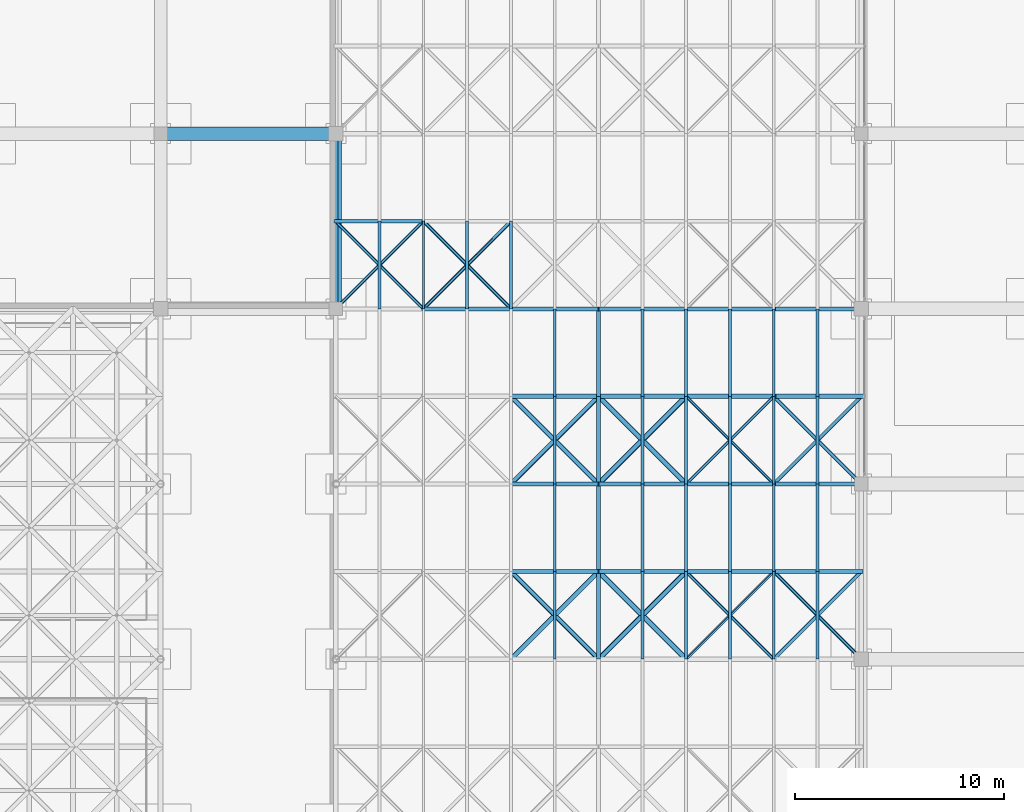
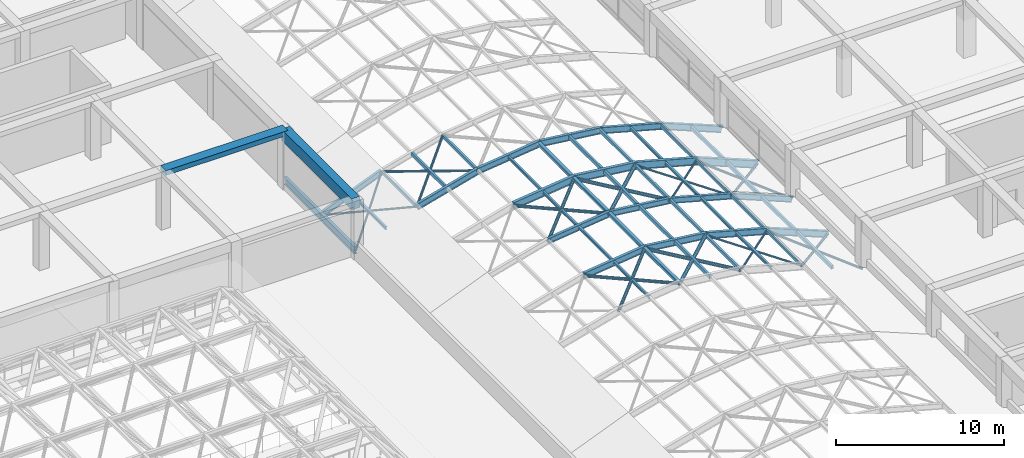
# One storey, part 27 of 85: 70 members, 3 beams.
"""IFC4 building model written with IfcOpenShell, lengths in metres."""

from ifc_helpers import new_model, si_unit, direction, frame, origin, origin_2d, place, context, subcontext, project, spatial, rectangle, hollow_rectangle, hollow_circle, i_section, extrude, material, material_profile, profile_set, type_object, element, save


model = new_model("IFC4")

# Units and contexts
model_context = context("Model", 3, precision=1e-05, world=origin(), true_north=direction((0.0, 1.0)))
body_context = subcontext(model_context, "Body", "Model", "MODEL_VIEW")
ifc_project = project(units=[si_unit("LENGTHUNIT", "METRE"), si_unit("AREAUNIT", "SQUARE_METRE"), si_unit("VOLUMEUNIT", "CUBIC_METRE"), si_unit("PLANEANGLEUNIT", "RADIAN"), si_unit("MASSUNIT", "GRAM", prefix="KILO")], contexts=[model_context])

# Site, building, storey
site_placement = place(None, origin())
site = spatial("IfcSite", under=ifc_project, at=site_placement, CompositionType="ELEMENT")
building_placement = place(site_placement, origin())
building = spatial("IfcBuilding", under=site, at=building_placement, Name="Almacenes y Pasaje Nevantli", CompositionType="ELEMENT")
storey_placement = place(building_placement, frame((0.0, 0.0, 22.199951171875)))
storey = spatial("IfcBuildingStorey", under=building, at=storey_placement, Name="L05", CompositionType="ELEMENT", Elevation=22.199951171875)

# Beams
ifc_material_1 = material(Name="Concrete C35/45", Category="concrete")
ifc_material_profile_1 = material_profile(ifc_material_1, rectangle(XDim=0.550048828125, YDim=0.800048828125, at=origin_2d()), Name="RC-BM-550x800")
ifc_profile_set_1 = profile_set([ifc_material_profile_1], Name="Concrete C35/45")
beam_type_1 = type_object("IfcBeamType", Name="BM-RC-550x800", PredefinedType="BEAM", material=ifc_profile_set_1)
beam_1_placement = place(storey_placement, frame((67.199951171875, 75.60009765625, 3.820068359375), z_axis=(0.0, 1.0, 0.0), x_axis=(-1.0, 0.0, 0.0)))
element("IfcBeam", 1, at=beam_1_placement, inside=storey, type_object=beam_type_1, Name="L05 North-South Reinforced Concrete Beam #3459", PredefinedType="BEAM", context=body_context, shape_type="SweptSolid", body=[
    extrude(rectangle(XDim=0.550048828125, YDim=0.800048828125, at=origin_2d()), origin(), (0.0, 0.0, 1.0), 8.39990234375),
])
ifc_material_2 = material(Name="Concrete C35/45", Category="concrete")
ifc_material_profile_2 = material_profile(ifc_material_2, rectangle(XDim=0.64990234375, YDim=0.35009765625, at=origin_2d()), Name="RC-BM-650x350")
ifc_profile_set_2 = profile_set([ifc_material_profile_2], Name="Concrete C35/45")
beam_type_2 = type_object("IfcBeamType", Name="BM-RC-650x350", PredefinedType="BEAM", material=ifc_profile_set_2)
beam_2_placement = place(storey_placement, frame((58.800048828125, 84.0, 4.045166015625), z_axis=(1.0, 0.0, 0.0), x_axis=(0.0, 1.0, 0.0)))
element("IfcBeam", 2, at=beam_2_placement, inside=storey, type_object=beam_type_2, Name="L05 East-West Reinforced Concrete Beam #3344", PredefinedType="BEAM", context=body_context, shape_type="SweptSolid", body=[
    extrude(rectangle(XDim=0.64990234375, YDim=0.35009765625, at=origin_2d()), origin(), (0.0, 0.0, 1.0), 8.39990234375),
])
ifc_material_3 = material(Name="Steel ASTM A992", Category="steel")
ifc_material_profile_3 = material_profile(ifc_material_3, i_section(OverallWidth=0.208984375, OverallDepth=0.532958984375, WebThickness=0.01025390625, FlangeThickness=0.015625, at=origin_2d()), Name="IR 533x92.5")
ifc_profile_set_3 = profile_set([ifc_material_profile_3], Name="Steel ASTM A992")
beam_type_3 = type_object("IfcBeamType", Name="BM-STL-IR-533x92p5", PredefinedType="BEAM", material=ifc_profile_set_3)
beam_3_placement = place(storey_placement, frame((67.199951171875, 75.60009765625, 0.400146484375), z_axis=(0.0, 1.0, 0.0), x_axis=(-1.0, 0.0, 0.0)))
element("IfcBeam", 3, at=beam_3_placement, inside=storey, type_object=beam_type_3, Name="L05 Arcade Barrel Vault Eave Steel Girder #1.10", PredefinedType="BEAM", context=body_context, shape_type="SweptSolid", body=[
    extrude(i_section(OverallWidth=0.208984375, OverallDepth=0.532958984375, WebThickness=0.01025390625, FlangeThickness=0.015625, at=origin_2d()), origin(), (0.0, 0.0, 1.0), 8.39990234375),
])

# Members
ifc_material_4 = material(Name="Steel ASTM A992", Category="steel")
ifc_material_profile_4 = material_profile(ifc_material_4, i_section(OverallWidth=0.180908203125, OverallDepth=0.406005859375, WebThickness=0.010986328125, FlangeThickness=0.018310546875, at=origin_2d()), Name="IR 406x85.0")
ifc_profile_set_4 = profile_set([ifc_material_profile_4], Name="Steel ASTM A992")
member_type_1 = type_object("IfcMemberType", Name="MBR-ARCH-IR406x85", PredefinedType="USERDEFINED", material=ifc_profile_set_4)
for number, where, z_axis, x_axis, name in (
    (4, (75.60009765625, 67.199951171875, 3.25), (0.99298811287, 0.0, 0.118214244908), (0.0, 1.0, 0.0), "Arcade Barrel Vault Steel Arch Rib 17.3"),
    (5, (79.800048828125, 67.199951171875, 3.75), (0.99298811287, 0.0, -0.118214244908), (0.0, 1.0, 0.0), "Arcade Barrel Vault Steel Arch Rib 17.4"),
):
    element("IfcMember", number, at=place(storey_placement, frame(where, z_axis=z_axis, x_axis=x_axis)), inside=storey, type_object=member_type_1, Name=name, ObjectType="ARCH RIB", PredefinedType="USERDEFINED", context=body_context, shape_type="SweptSolid", body=[
        extrude(i_section(OverallWidth=0.180908203125, OverallDepth=0.406005859375, WebThickness=0.010986328125, FlangeThickness=0.018310546875, at=origin_2d()), origin(), (0.0, 0.0, 1.0), 4.2294921875),
    ])
member_1_placement = place(storey_placement, frame((84.0, 67.199951171875, 3.25), z_axis=(0.964503290046, 0.0, -0.264070830443), x_axis=(0.0, 1.0, 0.0)))
element("IfcMember", 6, at=member_1_placement, inside=storey, type_object=member_type_1, Name="Arcade Barrel Vault Steel Arch Rib 17.5", ObjectType="ARCH RIB", PredefinedType="USERDEFINED", context=body_context, shape_type="SweptSolid", body=[
    extrude(i_section(OverallWidth=0.180908203125, OverallDepth=0.406005859375, WebThickness=0.010986328125, FlangeThickness=0.018310546875, at=origin_2d()), origin(), (0.0, 0.0, 1.0), 4.3544921875),
])
for number, where, z_axis, x_axis, name in (
    (7, (88.199951171875, 67.199951171875, 2.10009765625), (0.926949044115, 0.0, -0.375187246072), (0.0, 1.0, 0.0), "Arcade Barrel Vault Steel Arch Rib 17.6"),
    (8, (67.199951171875, 79.800048828125, 0.400146484375), (0.926949044115, 0.0, 0.375187246072), (0.0, 1.0, 0.0), "Arcade Barrel Vault Steel Arch Rib 20.1"),
):
    element("IfcMember", number, at=place(storey_placement, frame(where, z_axis=z_axis, x_axis=x_axis)), inside=storey, type_object=member_type_1, Name=name, ObjectType="ARCH RIB", PredefinedType="USERDEFINED", context=body_context, shape_type="SweptSolid", body=[
        extrude(i_section(OverallWidth=0.180908203125, OverallDepth=0.406005859375, WebThickness=0.010986328125, FlangeThickness=0.018310546875, at=origin_2d()), origin(), (0.0, 0.0, 1.0), 4.531005859375),
    ])
ifc_material_5 = material(Name="Steel ASTM A992", Category="steel")
ifc_material_profile_5 = material_profile(ifc_material_5, i_section(OverallWidth=0.193115234375, OverallDepth=0.4599609375, WebThickness=0.011474609375, FlangeThickness=0.01904296875, at=origin_2d()), Name="IR 457x96.7")
ifc_profile_set_5 = profile_set([ifc_material_profile_5], Name="Steel ASTM A992")
member_type_2 = type_object("IfcMemberType", Name="MBR-ARCH-IR457x96", PredefinedType="USERDEFINED", material=ifc_profile_set_5)
for number, where, z_axis, x_axis, name in (
    (9, (75.60009765625, 63.0, 3.25), (0.99298811287, 0.0, 0.118214244908), (0.0, 1.0, 0.0), "Arcade Barrel Vault Steel Arch Rib 16.3"),
    (10, (79.800048828125, 63.0, 3.75), (0.99298811287, 0.0, -0.118214244908), (0.0, 1.0, 0.0), "Arcade Barrel Vault Steel Arch Rib 16.4"),
):
    element("IfcMember", number, at=place(storey_placement, frame(where, z_axis=z_axis, x_axis=x_axis)), inside=storey, type_object=member_type_2, Name=name, ObjectType="ARCH RIB", PredefinedType="USERDEFINED", context=body_context, shape_type="SweptSolid", body=[
        extrude(i_section(OverallWidth=0.193115234375, OverallDepth=0.4599609375, WebThickness=0.011474609375, FlangeThickness=0.01904296875, at=origin_2d()), origin(), (0.0, 0.0, 1.0), 4.2294921875),
    ])
member_2_placement = place(storey_placement, frame((84.0, 63.0, 3.25), z_axis=(0.964503290046, 0.0, -0.264070830443), x_axis=(0.0, 1.0, 0.0)))
element("IfcMember", 11, at=member_2_placement, inside=storey, type_object=member_type_2, Name="Arcade Barrel Vault Steel Arch Rib 16.5", ObjectType="ARCH RIB", PredefinedType="USERDEFINED", context=body_context, shape_type="SweptSolid", body=[
    extrude(i_section(OverallWidth=0.193115234375, OverallDepth=0.4599609375, WebThickness=0.011474609375, FlangeThickness=0.01904296875, at=origin_2d()), origin(), (0.0, 0.0, 1.0), 4.3544921875),
])
member_3_placement = place(storey_placement, frame((88.199951171875, 63.0, 2.10009765625), z_axis=(0.926949044115, 0.0, -0.375187246072), x_axis=(0.0, 1.0, 0.0)))
element("IfcMember", 12, at=member_3_placement, inside=storey, type_object=member_type_2, Name="Arcade Barrel Vault Steel Arch Rib 16.6", ObjectType="ARCH RIB", PredefinedType="USERDEFINED", context=body_context, shape_type="SweptSolid", body=[
    extrude(i_section(OverallWidth=0.193115234375, OverallDepth=0.4599609375, WebThickness=0.011474609375, FlangeThickness=0.01904296875, at=origin_2d()), origin(), (0.0, 0.0, 1.0), 4.531005859375),
])
member_4_placement = place(storey_placement, frame((71.39990234375, 75.60009765625, 2.10009765625), z_axis=(0.964507199401, 0.0, 0.264056551336), x_axis=(0.0, 1.0, 0.0)))
element("IfcMember", 13, at=member_4_placement, inside=storey, type_object=member_type_2, Name="Arcade Barrel Vault Steel Arch Rib 19.2", ObjectType="ARCH RIB", PredefinedType="USERDEFINED", context=body_context, shape_type="SweptSolid", body=[
    extrude(i_section(OverallWidth=0.193115234375, OverallDepth=0.4599609375, WebThickness=0.011474609375, FlangeThickness=0.01904296875, at=origin_2d()), origin(), (0.0, 0.0, 1.0), 4.354736328125),
])
for number, where, z_axis, x_axis, name in (
    (14, (75.60009765625, 75.60009765625, 3.25), (0.99298811287, 0.0, 0.118214244908), (0.0, 1.0, 0.0), "Arcade Barrel Vault Steel Arch Rib 19.3"),
    (15, (79.800048828125, 75.60009765625, 3.75), (0.99298811287, 0.0, -0.118214244908), (0.0, 1.0, 0.0), "Arcade Barrel Vault Steel Arch Rib 19.4"),
):
    element("IfcMember", number, at=place(storey_placement, frame(where, z_axis=z_axis, x_axis=x_axis)), inside=storey, type_object=member_type_2, Name=name, ObjectType="ARCH RIB", PredefinedType="USERDEFINED", context=body_context, shape_type="SweptSolid", body=[
        extrude(i_section(OverallWidth=0.193115234375, OverallDepth=0.4599609375, WebThickness=0.011474609375, FlangeThickness=0.01904296875, at=origin_2d()), origin(), (0.0, 0.0, 1.0), 4.2294921875),
    ])
member_5_placement = place(storey_placement, frame((84.0, 75.60009765625, 3.25), z_axis=(0.964503290046, 0.0, -0.264070830443), x_axis=(0.0, 1.0, 0.0)))
element("IfcMember", 16, at=member_5_placement, inside=storey, type_object=member_type_2, Name="Arcade Barrel Vault Steel Arch Rib 19.5", ObjectType="ARCH RIB", PredefinedType="USERDEFINED", context=body_context, shape_type="SweptSolid", body=[
    extrude(i_section(OverallWidth=0.193115234375, OverallDepth=0.4599609375, WebThickness=0.011474609375, FlangeThickness=0.01904296875, at=origin_2d()), origin(), (0.0, 0.0, 1.0), 4.3544921875),
])
member_6_placement = place(storey_placement, frame((88.199951171875, 75.60009765625, 2.10009765625), z_axis=(0.926949044115, 0.0, -0.375187246072), x_axis=(0.0, 1.0, 0.0)))
element("IfcMember", 17, at=member_6_placement, inside=storey, type_object=member_type_2, Name="Arcade Barrel Vault Steel Arch Rib 19.6", ObjectType="ARCH RIB", PredefinedType="USERDEFINED", context=body_context, shape_type="SweptSolid", body=[
    extrude(i_section(OverallWidth=0.193115234375, OverallDepth=0.4599609375, WebThickness=0.011474609375, FlangeThickness=0.01904296875, at=origin_2d()), origin(), (0.0, 0.0, 1.0), 4.531005859375),
])
ifc_material_6 = material(Name="Steel ASTM A992", Category="steel")
ifc_material_profile_6 = material_profile(ifc_material_6, i_section(OverallWidth=0.208984375, OverallDepth=0.532958984375, WebThickness=0.01025390625, FlangeThickness=0.015625, at=origin_2d()), Name="IR 533x92.5")
ifc_profile_set_6 = profile_set([ifc_material_profile_6], Name="Steel ASTM A992")
member_type_3 = type_object("IfcMemberType", Name="MBR-ARCH-IR533x92", PredefinedType="USERDEFINED", material=ifc_profile_set_6)
for number, where, z_axis, x_axis, name in (
    (18, (75.60009765625, 71.39990234375, 3.25), (0.99298811287, 0.0, 0.118214244908), (0.0, 1.0, 0.0), "Arcade Barrel Vault Steel Arch Rib 18.3"),
    (19, (79.800048828125, 71.39990234375, 3.75), (0.99298811287, 0.0, -0.118214244908), (0.0, 1.0, 0.0), "Arcade Barrel Vault Steel Arch Rib 18.4"),
):
    element("IfcMember", number, at=place(storey_placement, frame(where, z_axis=z_axis, x_axis=x_axis)), inside=storey, type_object=member_type_3, Name=name, ObjectType="ARCH RIB", PredefinedType="USERDEFINED", context=body_context, shape_type="SweptSolid", body=[
        extrude(i_section(OverallWidth=0.208984375, OverallDepth=0.532958984375, WebThickness=0.01025390625, FlangeThickness=0.015625, at=origin_2d()), origin(), (0.0, 0.0, 1.0), 4.2294921875),
    ])
member_7_placement = place(storey_placement, frame((84.0, 71.39990234375, 3.25), z_axis=(0.964503290046, 0.0, -0.264070830443), x_axis=(0.0, 1.0, 0.0)))
element("IfcMember", 20, at=member_7_placement, inside=storey, type_object=member_type_3, Name="Arcade Barrel Vault Steel Arch Rib 18.5", ObjectType="ARCH RIB", PredefinedType="USERDEFINED", context=body_context, shape_type="SweptSolid", body=[
    extrude(i_section(OverallWidth=0.208984375, OverallDepth=0.532958984375, WebThickness=0.01025390625, FlangeThickness=0.015625, at=origin_2d()), origin(), (0.0, 0.0, 1.0), 4.3544921875),
])
member_8_placement = place(storey_placement, frame((88.199951171875, 71.39990234375, 2.10009765625), z_axis=(0.926949044115, 0.0, -0.375187246072), x_axis=(0.0, 1.0, 0.0)))
element("IfcMember", 21, at=member_8_placement, inside=storey, type_object=member_type_3, Name="Arcade Barrel Vault Steel Arch Rib 18.6", ObjectType="ARCH RIB", PredefinedType="USERDEFINED", context=body_context, shape_type="SweptSolid", body=[
    extrude(i_section(OverallWidth=0.208984375, OverallDepth=0.532958984375, WebThickness=0.01025390625, FlangeThickness=0.015625, at=origin_2d()), origin(), (0.0, 0.0, 1.0), 4.531005859375),
])
ifc_material_7 = material(Name="Steel ASTM A500 Grade C", Category="steel")
ifc_material_profile_7 = material_profile(ifc_material_7, hollow_circle(Radius=0.070556640625, WallThickness=0.006591796875, at=origin_2d()), Name="OC 141x6.6")
ifc_profile_set_7 = profile_set([ifc_material_profile_7], Name="Steel ASTM A500 Grade C")
member_type_4 = type_object("IfcMemberType", Name="MBR-BRC-OC141", PredefinedType="BRACE", material=ifc_profile_set_7)
for number, where, z_axis, x_axis, name in (
    (22, (84.0, 58.800048828125, 3.25), (0.694216714393, 0.694216714393, -0.190069216113), (-0.707106781187, 0.707106781187, 0.0), "Arcade Barrel Vault Wind Brace 15.5A"),
    (23, (88.199951171875, 58.800048828125, 2.10009765625), (-0.694216714393, 0.694216714393, 0.190069216113), (-0.707106781187, -0.707106781187, 0.0), "Arcade Barrel Vault Wind Brace 15.5B"),
    (24, (84.0, 67.199951171875, 3.25), (0.694216714393, 0.694216714393, -0.190069216113), (-0.707106781187, 0.707106781187, 0.0), "Arcade Barrel Vault Wind Brace 17.5A"),
    (25, (88.199951171875, 67.199951171875, 2.10009765625), (-0.694216714393, 0.694216714393, 0.190069216113), (-0.707106781187, -0.707106781187, 0.0), "Arcade Barrel Vault Wind Brace 17.5B"),
):
    element("IfcMember", number, at=place(storey_placement, frame(where, z_axis=z_axis, x_axis=x_axis)), inside=storey, type_object=member_type_4, Name=name, PredefinedType="BRACE", context=body_context, shape_type="SweptSolid", body=[
        extrude(hollow_circle(Radius=0.070556640625, WallThickness=0.006591796875, at=origin_2d()), origin(), (0.0, 0.0, 1.0), 6.0498046875),
    ])
for number, where, z_axis, x_axis, name in (
    (26, (67.199951171875, 75.60009765625, 0.400146484375), (0.679811915702, 0.679811915702, 0.275157261468), (-0.707106781187, 0.707106781187, 0.0), "Arcade Barrel Vault Wind Brace 19.1A"),
    (27, (71.39990234375, 75.60009765625, 2.10009765625), (-0.679811915702, 0.679811915702, -0.275157261468), (-0.707106781187, -0.707106781187, 0.0), "Arcade Barrel Vault Wind Brace 19.1B"),
):
    element("IfcMember", number, at=place(storey_placement, frame(where, z_axis=z_axis, x_axis=x_axis)), inside=storey, type_object=member_type_4, Name=name, PredefinedType="BRACE", context=body_context, shape_type="SweptSolid", body=[
        extrude(hollow_circle(Radius=0.070556640625, WallThickness=0.006591796875, at=origin_2d()), origin(), (0.0, 0.0, 1.0), 6.17822265625),
    ])
ifc_material_8 = material(Name="Steel ASTM A500 Grade C", Category="steel")
ifc_material_profile_8 = material_profile(ifc_material_8, hollow_circle(Radius=0.084228515625, WallThickness=0.007080078125, at=origin_2d()), Name="OC 168x7.1")
ifc_profile_set_8 = profile_set([ifc_material_profile_8], Name="Steel ASTM A500 Grade C")
member_type_5 = type_object("IfcMemberType", Name="MBR-BRC-OC168", PredefinedType="BRACE", material=ifc_profile_set_8)
for number, where, z_axis, x_axis, name in (
    (28, (88.199951171875, 58.800048828125, 2.10009765625), (0.679811915702, 0.679811915702, -0.275157261468), (-0.707106781187, 0.707106781187, 0.0), "Arcade Barrel Vault Wind Brace 15.6A"),
    (29, (92.39990234375, 58.800048828125, 0.400146484375), (-0.679811915702, 0.679811915702, 0.275157261468), (-0.707106781187, -0.707106781187, 0.0), "Arcade Barrel Vault Wind Brace 15.6B"),
    (30, (88.199951171875, 67.199951171875, 2.10009765625), (0.679811915702, 0.679811915702, -0.275157261468), (-0.707106781187, 0.707106781187, 0.0), "Arcade Barrel Vault Wind Brace 17.6A"),
    (31, (92.39990234375, 67.199951171875, 0.400146484375), (-0.679811915702, 0.679811915702, 0.275157261468), (-0.707106781187, -0.707106781187, 0.0), "Arcade Barrel Vault Wind Brace 17.6B"),
):
    element("IfcMember", number, at=place(storey_placement, frame(where, z_axis=z_axis, x_axis=x_axis)), inside=storey, type_object=member_type_5, Name=name, PredefinedType="BRACE", context=body_context, shape_type="SweptSolid", body=[
        extrude(hollow_circle(Radius=0.084228515625, WallThickness=0.007080078125, at=origin_2d()), origin(), (0.0, 0.0, 1.0), 6.17822265625),
    ])
for number, where, z_axis, x_axis, name in (
    (32, (71.39990234375, 75.60009765625, 2.10009765625), (0.694237619642, 0.694197266374, 0.19006389145), (-0.70708622964, 0.707127332136, 0.0), "Arcade Barrel Vault Wind Brace 19.2A"),
    (33, (75.60009765625, 75.60009765625, 3.25), (-0.694237619642, 0.694197266374, -0.19006389145), (-0.70708622964, -0.707127332136, 0.0), "Arcade Barrel Vault Wind Brace 19.2B"),
):
    element("IfcMember", number, at=place(storey_placement, frame(where, z_axis=z_axis, x_axis=x_axis)), inside=storey, type_object=member_type_5, Name=name, PredefinedType="BRACE", context=body_context, shape_type="SweptSolid", body=[
        extrude(hollow_circle(Radius=0.084228515625, WallThickness=0.007080078125, at=origin_2d()), origin(), (0.0, 0.0, 1.0), 6.050048828125),
    ])
ifc_material_9 = material(Name="Steel ASTM A500 Grade C", Category="steel")
ifc_material_profile_9 = material_profile(ifc_material_9, hollow_circle(Radius=0.109619140625, WallThickness=0.00830078125, at=origin_2d()), Name="OC 219x8.2")
ifc_profile_set_9 = profile_set([ifc_material_profile_9], Name="Steel ASTM A500 Grade C")
member_type_6 = type_object("IfcMemberType", Name="MBR-BRC-OC219", PredefinedType="BRACE", material=ifc_profile_set_9)
for number, where, z_axis, x_axis, name in (
    (34, (75.60009765625, 58.800048828125, 3.25), (0.70461462169, 0.70461462169, 0.083883668268), (-0.707106781187, 0.707106781187, 0.0), "Arcade Barrel Vault Wind Brace 15.3A"),
    (35, (79.800048828125, 58.800048828125, 3.75), (-0.70461462169, 0.70461462169, -0.083883668268), (-0.707106781187, -0.707106781187, 0.0), "Arcade Barrel Vault Wind Brace 15.3B"),
    (36, (75.60009765625, 67.199951171875, 3.25), (0.70461462169, 0.70461462169, 0.083883668268), (-0.707106781187, 0.707106781187, 0.0), "Arcade Barrel Vault Wind Brace 17.3A"),
    (37, (79.800048828125, 67.199951171875, 3.75), (-0.70461462169, 0.70461462169, -0.083883668268), (-0.707106781187, -0.707106781187, 0.0), "Arcade Barrel Vault Wind Brace 17.3B"),
):
    element("IfcMember", number, at=place(storey_placement, frame(where, z_axis=z_axis, x_axis=x_axis)), inside=storey, type_object=member_type_6, Name=name, PredefinedType="BRACE", context=body_context, shape_type="SweptSolid", body=[
        extrude(hollow_circle(Radius=0.109619140625, WallThickness=0.00830078125, at=origin_2d()), origin(), (0.0, 0.0, 1.0), 5.960693359375),
    ])
ifc_material_10 = material(Name="Steel ASTM A500 Grade C", Category="steel")
ifc_material_profile_10 = material_profile(ifc_material_10, hollow_circle(Radius=0.122314453125, WallThickness=0.0087890625, at=origin_2d()), Name="OC 244x8.9")
ifc_profile_set_10 = profile_set([ifc_material_profile_10], Name="Steel ASTM A500 Grade C")
member_type_7 = type_object("IfcMemberType", Name="MBR-BRC-OC244", PredefinedType="BRACE", material=ifc_profile_set_10)
for number, where, z_axis, x_axis, name in (
    (38, (79.800048828125, 58.800048828125, 3.75), (0.70461462169, 0.70461462169, -0.083883668268), (-0.707106781187, 0.707106781187, 0.0), "Arcade Barrel Vault Wind Brace 15.4A"),
    (39, (84.0, 58.800048828125, 3.25), (-0.70461462169, 0.70461462169, 0.083883668268), (-0.707106781187, -0.707106781187, 0.0), "Arcade Barrel Vault Wind Brace 15.4B"),
    (40, (79.800048828125, 67.199951171875, 3.75), (0.70461462169, 0.70461462169, -0.083883668268), (-0.707106781187, 0.707106781187, 0.0), "Arcade Barrel Vault Wind Brace 17.4A"),
    (41, (84.0, 67.199951171875, 3.25), (-0.70461462169, 0.70461462169, 0.083883668268), (-0.707106781187, -0.707106781187, 0.0), "Arcade Barrel Vault Wind Brace 17.4B"),
):
    element("IfcMember", number, at=place(storey_placement, frame(where, z_axis=z_axis, x_axis=x_axis)), inside=storey, type_object=member_type_7, Name=name, PredefinedType="BRACE", context=body_context, shape_type="SweptSolid", body=[
        extrude(hollow_circle(Radius=0.122314453125, WallThickness=0.0087890625, at=origin_2d()), origin(), (0.0, 0.0, 1.0), 5.960693359375),
    ])
ifc_material_11 = material(Name="Steel ASTM A992", Category="steel")
ifc_material_profile_11 = material_profile(ifc_material_11, i_section(OverallWidth=0.134033203125, OverallDepth=0.2099609375, WebThickness=0.00634765625, FlangeThickness=0.01025390625, at=origin_2d()), Name="IR 203x31.3")
ifc_profile_set_11 = profile_set([ifc_material_profile_11], Name="Steel ASTM A992")
member_type_8 = type_object("IfcMemberType", Name="MBR-PUR-IR203x31", PredefinedType="PURLIN", material=ifc_profile_set_11)
for number, where, z_axis, x_axis, name in (
    (42, (77.699951171875, 58.800048828125, 3.5), (0.0, 1.0, 0.0), (-1.0, 0.0, 0.0), "Arcade Barrel Vault Secondary Steel Purlin #162"),
    (43, (86.10009765625, 58.800048828125, 2.675048828125), (0.0, 1.0, 0.0), (-1.0, 0.0, 0.0), "Arcade Barrel Vault Secondary Steel Purlin #164"),
    (44, (77.699951171875, 63.0, 3.5), (0.0, 1.0, 0.0), (-1.0, 0.0, 0.0), "Arcade Barrel Vault Secondary Steel Purlin #173"),
    (45, (86.10009765625, 63.0, 2.675048828125), (0.0, 1.0, 0.0), (-1.0, 0.0, 0.0), "Arcade Barrel Vault Secondary Steel Purlin #175"),
    (46, (77.699951171875, 67.199951171875, 3.5), (0.0, 1.0, 0.0), (-1.0, 0.0, 0.0), "Arcade Barrel Vault Secondary Steel Purlin #184"),
    (47, (86.10009765625, 67.199951171875, 2.675048828125), (0.0, 1.0, 0.0), (-1.0, 0.0, 0.0), "Arcade Barrel Vault Secondary Steel Purlin #186"),
):
    element("IfcMember", number, at=place(storey_placement, frame(where, z_axis=z_axis, x_axis=x_axis)), inside=storey, type_object=member_type_8, Name=name, PredefinedType="PURLIN", context=body_context, shape_type="SweptSolid", body=[
        extrude(i_section(OverallWidth=0.134033203125, OverallDepth=0.2099609375, WebThickness=0.00634765625, FlangeThickness=0.01025390625, at=origin_2d()), origin(), (0.0, 0.0, 1.0), 4.199951171875),
    ])
for number, where, z_axis, x_axis, name in (
    (48, (77.699951171875, 71.39990234375, 3.5), (0.0, 1.0, 0.0), (-1.0, 0.0, 0.0), "Arcade Barrel Vault Secondary Steel Purlin #195"),
    (49, (86.10009765625, 71.39990234375, 2.675048828125), (0.0, 1.0, 0.0), (-1.0, 0.0, 0.0), "Arcade Barrel Vault Secondary Steel Purlin #197"),
):
    element("IfcMember", number, at=place(storey_placement, frame(where, z_axis=z_axis, x_axis=x_axis)), inside=storey, type_object=member_type_8, Name=name, PredefinedType="PURLIN", context=body_context, shape_type="SweptSolid", body=[
        extrude(i_section(OverallWidth=0.134033203125, OverallDepth=0.2099609375, WebThickness=0.00634765625, FlangeThickness=0.01025390625, at=origin_2d()), origin(), (0.0, 0.0, 1.0), 4.2001953125),
    ])
member_9_placement = place(storey_placement, frame((69.300048828125, 75.60009765625, 1.25), z_axis=(0.0, 1.0, 0.0), x_axis=(-1.0, 0.0, 0.0)))
element("IfcMember", 50, at=member_9_placement, inside=storey, type_object=member_type_8, Name="Arcade Barrel Vault Secondary Steel Purlin #204", PredefinedType="PURLIN", context=body_context, shape_type="SweptSolid", body=[
    extrude(i_section(OverallWidth=0.134033203125, OverallDepth=0.2099609375, WebThickness=0.00634765625, FlangeThickness=0.01025390625, at=origin_2d()), origin(), (0.0, 0.0, 1.0), 4.199951171875),
])
ifc_material_12 = material(Name="Steel ASTM A992", Category="steel")
ifc_material_profile_12 = material_profile(ifc_material_12, i_section(OverallWidth=0.202880859375, OverallDepth=0.25390625, WebThickness=0.00732421875, FlangeThickness=0.010986328125, at=origin_2d()), Name="IR 254x49.1")
ifc_profile_set_12 = profile_set([ifc_material_profile_12], Name="Steel ASTM A992")
member_type_9 = type_object("IfcMemberType", Name="MBR-PUR-IR254x49", PredefinedType="PURLIN", material=ifc_profile_set_12)
for number, where, z_axis, x_axis, name in (
    (51, (79.800048828125, 58.800048828125, 3.75), (0.0, 1.0, 0.0), (-1.0, 0.0, 0.0), "Arcade Barrel Vault Steel Purlin #157"),
    (52, (79.800048828125, 63.0, 3.75), (0.0, 1.0, 0.0), (-1.0, 0.0, 0.0), "Arcade Barrel Vault Steel Purlin #168"),
    (53, (79.800048828125, 67.199951171875, 3.75), (0.0, 1.0, 0.0), (-1.0, 0.0, 0.0), "Arcade Barrel Vault Steel Purlin #179"),
):
    element("IfcMember", number, at=place(storey_placement, frame(where, z_axis=z_axis, x_axis=x_axis)), inside=storey, type_object=member_type_9, Name=name, PredefinedType="PURLIN", context=body_context, shape_type="SweptSolid", body=[
        extrude(i_section(OverallWidth=0.202880859375, OverallDepth=0.25390625, WebThickness=0.00732421875, FlangeThickness=0.010986328125, at=origin_2d()), origin(), (0.0, 0.0, 1.0), 4.199951171875),
    ])
member_10_placement = place(storey_placement, frame((79.800048828125, 71.39990234375, 3.75), z_axis=(0.0, 1.0, 0.0), x_axis=(-1.0, 0.0, 0.0)))
element("IfcMember", 54, at=member_10_placement, inside=storey, type_object=member_type_9, Name="Arcade Barrel Vault Steel Purlin #190", PredefinedType="PURLIN", context=body_context, shape_type="SweptSolid", body=[
    extrude(i_section(OverallWidth=0.202880859375, OverallDepth=0.25390625, WebThickness=0.00732421875, FlangeThickness=0.010986328125, at=origin_2d()), origin(), (0.0, 0.0, 1.0), 4.2001953125),
])
ifc_material_13 = material(Name="Steel ASTM A500 Grade C", Category="steel")
ifc_material_profile_13 = material_profile(ifc_material_13, hollow_rectangle(XDim=0.1015625, YDim=0.203125, WallThickness=0.0078125, at=origin_2d()), Name="OR 203x102x7.9")
ifc_profile_set_13 = profile_set([ifc_material_profile_13], Name="Steel ASTM A500 Grade C")
member_type_10 = type_object("IfcMemberType", Name="MBR-PUR-OR203x102", PredefinedType="PURLIN", material=ifc_profile_set_13)
for number, where, z_axis, x_axis, name in (
    (55, (88.199951171875, 58.800048828125, 2.10009765625), (0.0, 1.0, 0.0), (-1.0, 0.0, 0.0), "Arcade Barrel Vault Steel Purlin #159"),
    (56, (88.199951171875, 63.0, 2.10009765625), (0.0, 1.0, 0.0), (-1.0, 0.0, 0.0), "Arcade Barrel Vault Steel Purlin #170"),
    (57, (88.199951171875, 67.199951171875, 2.10009765625), (0.0, 1.0, 0.0), (-1.0, 0.0, 0.0), "Arcade Barrel Vault Steel Purlin #181"),
):
    element("IfcMember", number, at=place(storey_placement, frame(where, z_axis=z_axis, x_axis=x_axis)), inside=storey, type_object=member_type_10, Name=name, PredefinedType="PURLIN", context=body_context, shape_type="SweptSolid", body=[
        extrude(hollow_rectangle(XDim=0.1015625, YDim=0.203125, WallThickness=0.0078125, at=origin_2d()), origin(), (0.0, 0.0, 1.0), 4.199951171875),
    ])
member_11_placement = place(storey_placement, frame((88.199951171875, 71.39990234375, 2.10009765625), z_axis=(0.0, 1.0, 0.0), x_axis=(-1.0, 0.0, 0.0)))
element("IfcMember", 58, at=member_11_placement, inside=storey, type_object=member_type_10, Name="Arcade Barrel Vault Steel Purlin #192", PredefinedType="PURLIN", context=body_context, shape_type="SweptSolid", body=[
    extrude(hollow_rectangle(XDim=0.1015625, YDim=0.203125, WallThickness=0.0078125, at=origin_2d()), origin(), (0.0, 0.0, 1.0), 4.2001953125),
])
member_12_placement = place(storey_placement, frame((71.39990234375, 75.60009765625, 2.10009765625), z_axis=(0.0, 1.0, 0.0), x_axis=(-1.0, 0.0, 0.0)))
element("IfcMember", 59, at=member_12_placement, inside=storey, type_object=member_type_10, Name="Arcade Barrel Vault Steel Purlin #199", PredefinedType="PURLIN", context=body_context, shape_type="SweptSolid", body=[
    extrude(hollow_rectangle(XDim=0.1015625, YDim=0.203125, WallThickness=0.0078125, at=origin_2d()), origin(), (0.0, 0.0, 1.0), 4.199951171875),
])
ifc_material_14 = material(Name="Steel ASTM A500 Grade C", Category="steel")
ifc_material_profile_14 = material_profile(ifc_material_14, hollow_rectangle(XDim=0.15234375, YDim=0.203125, WallThickness=0.0078125, at=origin_2d()), Name="OR 203x152x7.9")
ifc_profile_set_14 = profile_set([ifc_material_profile_14], Name="Steel ASTM A500 Grade C")
member_type_11 = type_object("IfcMemberType", Name="MBR-PUR-OR203x152", PredefinedType="PURLIN", material=ifc_profile_set_14)
for number, where, z_axis, x_axis, name in (
    (60, (84.0, 58.800048828125, 3.25), (0.0, 1.0, 0.0), (-1.0, 0.0, 0.0), "Arcade Barrel Vault Steel Purlin #158"),
    (61, (84.0, 63.0, 3.25), (0.0, 1.0, 0.0), (-1.0, 0.0, 0.0), "Arcade Barrel Vault Steel Purlin #169"),
    (62, (84.0, 67.199951171875, 3.25), (0.0, 1.0, 0.0), (-1.0, 0.0, 0.0), "Arcade Barrel Vault Steel Purlin #180"),
):
    element("IfcMember", number, at=place(storey_placement, frame(where, z_axis=z_axis, x_axis=x_axis)), inside=storey, type_object=member_type_11, Name=name, PredefinedType="PURLIN", context=body_context, shape_type="SweptSolid", body=[
        extrude(hollow_rectangle(XDim=0.15234375, YDim=0.203125, WallThickness=0.0078125, at=origin_2d()), origin(), (0.0, 0.0, 1.0), 4.199951171875),
    ])
member_13_placement = place(storey_placement, frame((84.0, 71.39990234375, 3.25), z_axis=(0.0, 1.0, 0.0), x_axis=(-1.0, 0.0, 0.0)))
element("IfcMember", 63, at=member_13_placement, inside=storey, type_object=member_type_11, Name="Arcade Barrel Vault Steel Purlin #191", PredefinedType="PURLIN", context=body_context, shape_type="SweptSolid", body=[
    extrude(hollow_rectangle(XDim=0.15234375, YDim=0.203125, WallThickness=0.0078125, at=origin_2d()), origin(), (0.0, 0.0, 1.0), 4.2001953125),
])
member_14_placement = place(storey_placement, frame((75.60009765625, 75.60009765625, 3.25), z_axis=(0.0, 1.0, 0.0), x_axis=(-1.0, 0.0, 0.0)))
element("IfcMember", 64, at=member_14_placement, inside=storey, type_object=member_type_11, Name="Arcade Barrel Vault Steel Purlin #200", PredefinedType="PURLIN", context=body_context, shape_type="SweptSolid", body=[
    extrude(hollow_rectangle(XDim=0.15234375, YDim=0.203125, WallThickness=0.0078125, at=origin_2d()), origin(), (0.0, 0.0, 1.0), 4.199951171875),
])
ifc_material_15 = material(Name="Steel ASTM A500 Grade C", Category="steel")
ifc_material_profile_15 = material_profile(ifc_material_15, hollow_rectangle(XDim=0.15234375, YDim=0.25390625, WallThickness=0.009521484375, at=origin_2d()), Name="OR 254x152x9.5")
ifc_profile_set_15 = profile_set([ifc_material_profile_15], Name="Steel ASTM A500 Grade C")
member_type_12 = type_object("IfcMemberType", Name="MBR-PUR-OR254x152", PredefinedType="PURLIN", material=ifc_profile_set_15)
for number, where, z_axis, x_axis, name in (
    (65, (81.89990234375, 58.800048828125, 3.5), (0.0, 1.0, 0.0), (-1.0, 0.0, 0.0), "Arcade Barrel Vault Secondary Steel Purlin #163"),
    (66, (90.300048828125, 58.800048828125, 1.25), (0.0, 1.0, 0.0), (-1.0, 0.0, 0.0), "Arcade Barrel Vault Secondary Steel Purlin #165"),
    (67, (81.89990234375, 63.0, 3.5), (0.0, 1.0, 0.0), (-1.0, 0.0, 0.0), "Arcade Barrel Vault Secondary Steel Purlin #174"),
    (68, (90.300048828125, 63.0, 1.25), (0.0, 1.0, 0.0), (-1.0, 0.0, 0.0), "Arcade Barrel Vault Secondary Steel Purlin #176"),
    (69, (81.89990234375, 67.199951171875, 3.5), (0.0, 1.0, 0.0), (-1.0, 0.0, 0.0), "Arcade Barrel Vault Secondary Steel Purlin #185"),
    (70, (90.300048828125, 67.199951171875, 1.25), (0.0, 1.0, 0.0), (-1.0, 0.0, 0.0), "Arcade Barrel Vault Secondary Steel Purlin #187"),
):
    element("IfcMember", number, at=place(storey_placement, frame(where, z_axis=z_axis, x_axis=x_axis)), inside=storey, type_object=member_type_12, Name=name, PredefinedType="PURLIN", context=body_context, shape_type="SweptSolid", body=[
        extrude(hollow_rectangle(XDim=0.15234375, YDim=0.25390625, WallThickness=0.009521484375, at=origin_2d()), origin(), (0.0, 0.0, 1.0), 4.199951171875),
    ])
for number, where, z_axis, x_axis, name in (
    (71, (81.89990234375, 71.39990234375, 3.5), (0.0, 1.0, 0.0), (-1.0, 0.0, 0.0), "Arcade Barrel Vault Secondary Steel Purlin #196"),
    (72, (90.300048828125, 71.39990234375, 1.25), (0.0, 1.0, 0.0), (-1.0, 0.0, 0.0), "Arcade Barrel Vault Secondary Steel Purlin #198"),
):
    element("IfcMember", number, at=place(storey_placement, frame(where, z_axis=z_axis, x_axis=x_axis)), inside=storey, type_object=member_type_12, Name=name, PredefinedType="PURLIN", context=body_context, shape_type="SweptSolid", body=[
        extrude(hollow_rectangle(XDim=0.15234375, YDim=0.25390625, WallThickness=0.009521484375, at=origin_2d()), origin(), (0.0, 0.0, 1.0), 4.2001953125),
    ])
member_15_placement = place(storey_placement, frame((73.5, 75.60009765625, 2.675048828125), z_axis=(0.0, 1.0, 0.0), x_axis=(-1.0, 0.0, 0.0)))
element("IfcMember", 73, at=member_15_placement, inside=storey, type_object=member_type_12, Name="Arcade Barrel Vault Secondary Steel Purlin #205", PredefinedType="PURLIN", context=body_context, shape_type="SweptSolid", body=[
    extrude(hollow_rectangle(XDim=0.15234375, YDim=0.25390625, WallThickness=0.009521484375, at=origin_2d()), origin(), (0.0, 0.0, 1.0), 4.199951171875),
])

save(model, "model.ifc")
